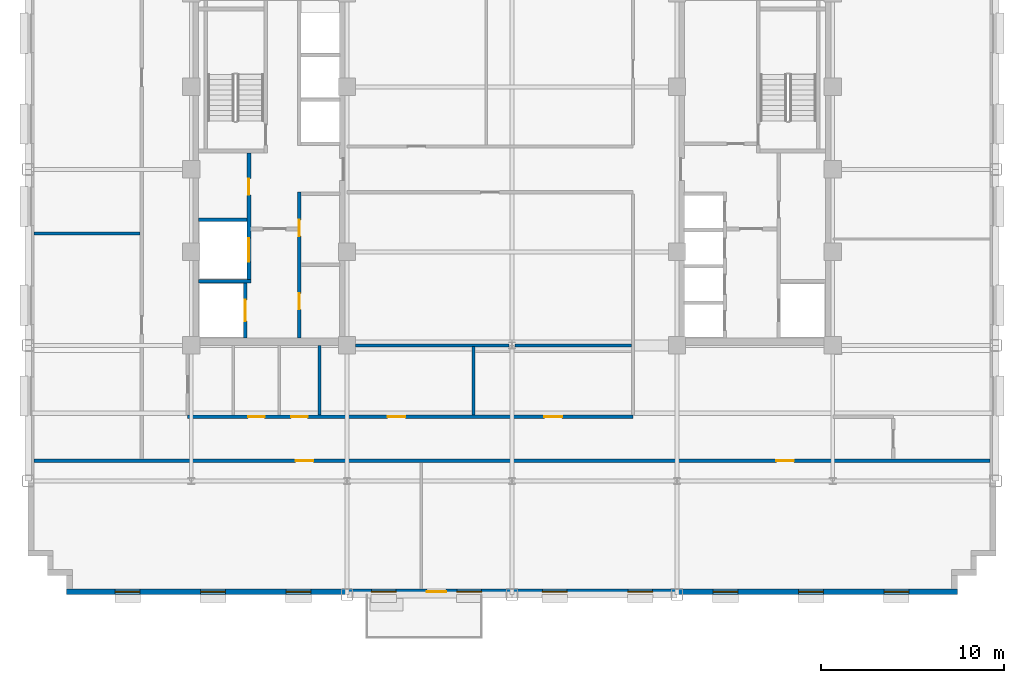
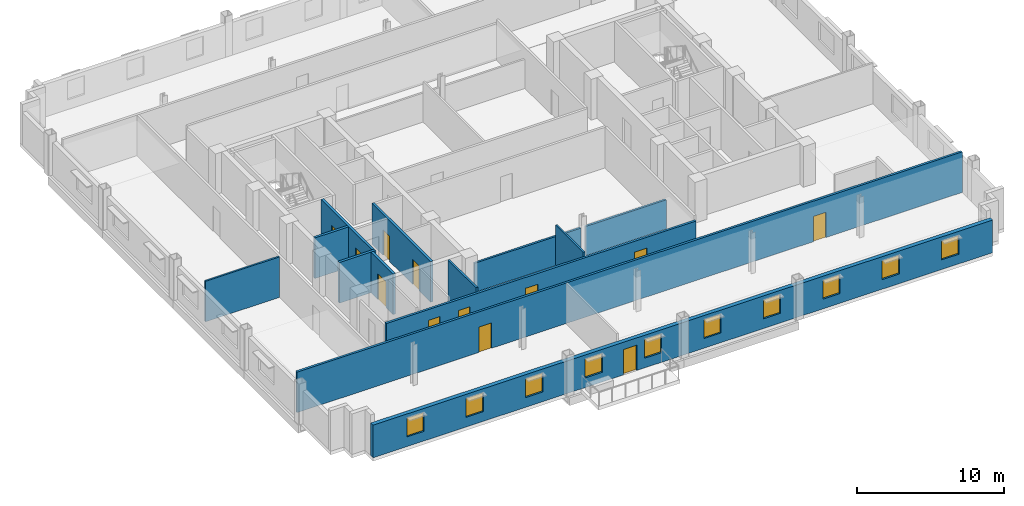
# One storey, part 6 of 14: 13 walls, 12 doors, 10 windows, 22 openings.
"""IFC4 building model written with IfcOpenShell, lengths in metres."""

from ifc_helpers import new_model, si_unit, direction, frame, frame_2d, origin, place, context, subcontext, project, spatial, rectangle, extrude, source, transform, mapped, material, layer, layer_set, type_object, type_shapes, element, fill, save


model = new_model("IFC4")

# Units and contexts
model_context = context("Model", 3, precision=1e-05, world=origin(), true_north=direction((0.0, 1.0)))
body_context = subcontext(model_context, "Body", "Model", "MODEL_VIEW")
ifc_project = project(units=[si_unit("LENGTHUNIT", "METRE"), si_unit("AREAUNIT", "SQUARE_METRE"), si_unit("VOLUMEUNIT", "CUBIC_METRE"), si_unit("PLANEANGLEUNIT", "RADIAN"), si_unit("MASSUNIT", "GRAM", prefix="KILO")], contexts=[model_context])

# Site, building, storey
site_placement = place(None, origin())
site = spatial("IfcSite", under=ifc_project, at=site_placement, CompositionType="ELEMENT")
building_placement = place(site_placement, origin())
building = spatial("IfcBuilding", under=site, at=building_placement, Name="Nuvemarco Arch Tower", CompositionType="ELEMENT")
storey_placement = place(building_placement, frame((0.0, 0.0, 127.5)))
storey = spatial("IfcBuildingStorey", under=building, at=storey_placement, Name="L33", CompositionType="ELEMENT", Elevation=127.5)

# Wall, openings, door, windows
ifc_material_1 = material(Name="Precast concrete C45/55", Category="concrete")
ifc_layer_1 = layer(ifc_material_1, 0.320068359375, Name="EW-MID-320")
ifc_layer_set_1 = layer_set([ifc_layer_1], Name="Precast concrete C45/55")
wall_type_1 = type_object("IfcWallType", Name="EW-MID-320", PredefinedType="STANDARD", material=ifc_layer_set_1)
wall_1_placement = place(storey_placement, frame((-24.300048828125, -23.0400390625, 0.0), z_axis=(0.0, 0.0, 1.0), x_axis=(1.0, 0.0, 0.0)))
wall_1 = element("IfcWall", 1, at=wall_1_placement, inside=storey, type_object=wall_type_1, Name="L33 exterior precast facade wall 1", PredefinedType="STANDARD", context=body_context, shape_type="SweptSolid", body=[
    extrude(rectangle(XDim=48.60009765625, YDim=0.320068359375, at=frame_2d((24.300048828125, 0.0))), origin(), (0.0, 0.0, 1.0), 2.705078125),
])
opening_1_placement = place(wall_1_placement, frame((20.699951171875, 0.0, 0.0), z_axis=(0.0, 0.0, 1.0), x_axis=(-1.0, 0.0, 0.0)))
opening_1 = element("IfcOpeningElement", 2, at=opening_1_placement, cuts=wall_1, Name="Opening ED-5", PredefinedType="OPENING", context=body_context, shape_type="SweptSolid", body=[
    extrude(rectangle(XDim=1.050048828125, YDim=2.10009765625, at=frame_2d((0.52490234375, 1.050048828125))), frame((0.0, 0.169921875, 0.0), z_axis=(0.0, -1.0, 0.0), x_axis=(1.0, 0.0, 0.0)), (0.0, 0.0, 1.0), 0.340087890625),
])
opening_2_placement = place(wall_1_placement, frame((2.655029296875, 0.0, 0.800048828125)))
opening_2 = element("IfcOpeningElement", 3, at=opening_2_placement, cuts=wall_1, Name="Opening WN-6", PredefinedType="OPENING", context=body_context, shape_type="SweptSolid", body=[
    extrude(rectangle(XDim=1.35009765625, YDim=1.56005859375, at=frame_2d((0.675048828125, 0.780029296875))), frame((0.0, 0.169921875, 0.0), z_axis=(0.0, -1.0, 0.0), x_axis=(1.0, 0.0, 0.0)), (0.0, 0.0, 1.0), 0.340087890625),
])
opening_3_placement = place(wall_1_placement, frame((7.31494140625, 0.0, 0.800048828125)))
opening_3 = element("IfcOpeningElement", 4, at=opening_3_placement, cuts=wall_1, Name="Opening WN-6", PredefinedType="OPENING", context=body_context, shape_type="SweptSolid", body=[
    extrude(rectangle(XDim=1.35009765625, YDim=1.56005859375, at=frame_2d((0.675048828125, 0.780029296875))), frame((0.0, 0.169921875, 0.0), z_axis=(0.0, -1.0, 0.0), x_axis=(1.0, 0.0, 0.0)), (0.0, 0.0, 1.0), 0.340087890625),
])
opening_4_placement = place(wall_1_placement, frame((11.97509765625, 0.0, 0.800048828125)))
opening_4 = element("IfcOpeningElement", 5, at=opening_4_placement, cuts=wall_1, Name="Opening WN-6", PredefinedType="OPENING", context=body_context, shape_type="SweptSolid", body=[
    extrude(rectangle(XDim=1.35009765625, YDim=1.56005859375, at=frame_2d((0.675048828125, 0.780029296875))), frame((0.0, 0.169921875, 0.0), z_axis=(0.0, -1.0, 0.0), x_axis=(1.0, 0.0, 0.0)), (0.0, 0.0, 1.0), 0.340087890625),
])
opening_5_placement = place(wall_1_placement, frame((16.635009765625, 0.0, 0.800048828125)))
opening_5 = element("IfcOpeningElement", 6, at=opening_5_placement, cuts=wall_1, Name="Opening WN-6", PredefinedType="OPENING", context=body_context, shape_type="SweptSolid", body=[
    extrude(rectangle(XDim=1.35009765625, YDim=1.56005859375, at=frame_2d((0.675048828125, 0.780029296875))), frame((0.0, 0.169921875, 0.0), z_axis=(0.0, -1.0, 0.0), x_axis=(1.0, 0.0, 0.0)), (0.0, 0.0, 1.0), 0.340087890625),
])
opening_6_placement = place(wall_1_placement, frame((21.294921875, 0.0, 0.800048828125)))
opening_6 = element("IfcOpeningElement", 7, at=opening_6_placement, cuts=wall_1, Name="Opening WN-6", PredefinedType="OPENING", context=body_context, shape_type="SweptSolid", body=[
    extrude(rectangle(XDim=1.35009765625, YDim=1.56005859375, at=frame_2d((0.675048828125, 0.780029296875))), frame((0.0, 0.169921875, 0.0), z_axis=(0.0, -1.0, 0.0), x_axis=(1.0, 0.0, 0.0)), (0.0, 0.0, 1.0), 0.340087890625),
])
opening_7_placement = place(wall_1_placement, frame((25.955078125, 0.0, 0.800048828125)))
opening_7 = element("IfcOpeningElement", 8, at=opening_7_placement, cuts=wall_1, Name="Opening WN-6", PredefinedType="OPENING", context=body_context, shape_type="SweptSolid", body=[
    extrude(rectangle(XDim=1.35009765625, YDim=1.56005859375, at=frame_2d((0.675048828125, 0.780029296875))), frame((0.0, 0.169921875, 0.0), z_axis=(0.0, -1.0, 0.0), x_axis=(1.0, 0.0, 0.0)), (0.0, 0.0, 1.0), 0.340087890625),
])
opening_8_placement = place(wall_1_placement, frame((30.614990234375, 0.0, 0.800048828125)))
opening_8 = element("IfcOpeningElement", 9, at=opening_8_placement, cuts=wall_1, Name="Opening WN-6", PredefinedType="OPENING", context=body_context, shape_type="SweptSolid", body=[
    extrude(rectangle(XDim=1.35009765625, YDim=1.56005859375, at=frame_2d((0.675048828125, 0.780029296875))), frame((0.0, 0.169921875, 0.0), z_axis=(0.0, -1.0, 0.0), x_axis=(1.0, 0.0, 0.0)), (0.0, 0.0, 1.0), 0.340087890625),
])
opening_9_placement = place(wall_1_placement, frame((35.27490234375, 0.0, 0.800048828125)))
opening_9 = element("IfcOpeningElement", 10, at=opening_9_placement, cuts=wall_1, Name="Opening WN-6", PredefinedType="OPENING", context=body_context, shape_type="SweptSolid", body=[
    extrude(rectangle(XDim=1.35009765625, YDim=1.56005859375, at=frame_2d((0.675048828125, 0.780029296875))), frame((0.0, 0.169921875, 0.0), z_axis=(0.0, -1.0, 0.0), x_axis=(1.0, 0.0, 0.0)), (0.0, 0.0, 1.0), 0.340087890625),
])
opening_10_placement = place(wall_1_placement, frame((39.93505859375, 0.0, 0.800048828125)))
opening_10 = element("IfcOpeningElement", 11, at=opening_10_placement, cuts=wall_1, Name="Opening WN-6", PredefinedType="OPENING", context=body_context, shape_type="SweptSolid", body=[
    extrude(rectangle(XDim=1.35009765625, YDim=1.56005859375, at=frame_2d((0.675048828125, 0.780029296875))), frame((0.0, 0.169921875, 0.0), z_axis=(0.0, -1.0, 0.0), x_axis=(1.0, 0.0, 0.0)), (0.0, 0.0, 1.0), 0.340087890625),
])
opening_11_placement = place(wall_1_placement, frame((44.594970703125, 0.0, 0.800048828125)))
opening_11 = element("IfcOpeningElement", 12, at=opening_11_placement, cuts=wall_1, Name="Opening WN-6", PredefinedType="OPENING", context=body_context, shape_type="SweptSolid", body=[
    extrude(rectangle(XDim=1.35009765625, YDim=1.56005859375, at=frame_2d((0.675048828125, 0.780029296875))), frame((0.0, 0.169921875, 0.0), z_axis=(0.0, -1.0, 0.0), x_axis=(1.0, 0.0, 0.0)), (0.0, 0.0, 1.0), 0.340087890625),
])
ifc_material_2 = material(Name="Anodised bronze and laminated glass", Category="glass")
door_type_1 = type_object("IfcDoorType", Name="DR-EXT-TERR", OperationType="NOTDEFINED", PredefinedType="DOOR", material=ifc_material_2)
shared_shape_1 = source(origin(), body_context, "Body", "SweptSolid", [
    extrude(rectangle(XDim=1.050048828125, YDim=2.10009765625, at=frame_2d((0.52490234375, 1.050048828125))), frame((0.0, 0.02490234375, 0.0), z_axis=(0.0, -1.0, 0.0), x_axis=(1.0, 0.0, 0.0)), (0.0, 0.0, 1.0), 0.050048828125),
])
type_shapes(door_type_1, [shared_shape_1])
door_1_placement = place(opening_1_placement, origin())
door_1 = element("IfcDoor", 13, at=door_1_placement, inside=storey, type_object=door_type_1, Name="L33 spiral terrace access door", OperationType="SINGLE_SWING_LEFT", OverallHeight=2.10009765625, OverallWidth=1.050048828125, PredefinedType="DOOR", context=body_context, shape_type="MappedRepresentation", body=[
    mapped(shared_shape_1, transform((0.0, 0.0, 0.0), scale=1.0)),
])
fill(opening_1, door_1)
ifc_material_3 = material(Name="Insulated solar-control glass", Category="glass")
window_type = type_object("IfcWindowType", Name="WN-MID-1350x1560", PartitioningType="SINGLE_PANEL", PredefinedType="WINDOW", material=ifc_material_3)
shared_shape_2 = source(origin(), body_context, "Body", "SweptSolid", [
    extrude(rectangle(XDim=1.35009765625, YDim=1.56005859375, at=frame_2d((0.675048828125, 0.780029296875))), frame((0.0, 0.030029296875, 0.0), z_axis=(0.0, -1.0, 0.0), x_axis=(1.0, 0.0, 0.0)), (0.0, 0.0, 1.0), 0.06005859375),
])
type_shapes(window_type, [shared_shape_2])
window_1_placement = place(opening_2_placement, origin())
window_1 = element("IfcWindow", 14, at=window_1_placement, inside=storey, type_object=window_type, Name="L33 punched facade window 1", OverallHeight=1.56005859375, OverallWidth=1.35009765625, PartitioningType="SINGLE_PANEL", PredefinedType="WINDOW", context=body_context, shape_type="MappedRepresentation", body=[
    mapped(shared_shape_2, transform((0.0, 0.0, 0.0), scale=1.0)),
])
fill(opening_2, window_1)
window_2_placement = place(opening_3_placement, origin())
window_2 = element("IfcWindow", 15, at=window_2_placement, inside=storey, type_object=window_type, Name="L33 punched facade window 2", OverallHeight=1.56005859375, OverallWidth=1.35009765625, PartitioningType="SINGLE_PANEL", PredefinedType="WINDOW", context=body_context, shape_type="MappedRepresentation", body=[
    mapped(shared_shape_2, transform((0.0, 0.0, 0.0), scale=1.0)),
])
fill(opening_3, window_2)
window_3_placement = place(opening_4_placement, origin())
window_3 = element("IfcWindow", 16, at=window_3_placement, inside=storey, type_object=window_type, Name="L33 punched facade window 3", OverallHeight=1.56005859375, OverallWidth=1.35009765625, PartitioningType="SINGLE_PANEL", PredefinedType="WINDOW", context=body_context, shape_type="MappedRepresentation", body=[
    mapped(shared_shape_2, transform((0.0, 0.0, 0.0), scale=1.0)),
])
fill(opening_4, window_3)
window_4_placement = place(opening_5_placement, origin())
window_4 = element("IfcWindow", 17, at=window_4_placement, inside=storey, type_object=window_type, Name="L33 punched facade window 4", OverallHeight=1.56005859375, OverallWidth=1.35009765625, PartitioningType="SINGLE_PANEL", PredefinedType="WINDOW", context=body_context, shape_type="MappedRepresentation", body=[
    mapped(shared_shape_2, transform((0.0, 0.0, 0.0), scale=1.0)),
])
fill(opening_5, window_4)
window_5_placement = place(opening_6_placement, origin())
window_5 = element("IfcWindow", 18, at=window_5_placement, inside=storey, type_object=window_type, Name="L33 punched facade window 5", OverallHeight=1.56005859375, OverallWidth=1.35009765625, PartitioningType="SINGLE_PANEL", PredefinedType="WINDOW", context=body_context, shape_type="MappedRepresentation", body=[
    mapped(shared_shape_2, transform((0.0, 0.0, 0.0), scale=1.0)),
])
fill(opening_6, window_5)
window_6_placement = place(opening_7_placement, origin())
window_6 = element("IfcWindow", 19, at=window_6_placement, inside=storey, type_object=window_type, Name="L33 punched facade window 6", OverallHeight=1.56005859375, OverallWidth=1.35009765625, PartitioningType="SINGLE_PANEL", PredefinedType="WINDOW", context=body_context, shape_type="MappedRepresentation", body=[
    mapped(shared_shape_2, transform((0.0, 0.0, 0.0), scale=1.0)),
])
fill(opening_7, window_6)
window_7_placement = place(opening_8_placement, origin())
window_7 = element("IfcWindow", 20, at=window_7_placement, inside=storey, type_object=window_type, Name="L33 punched facade window 7", OverallHeight=1.56005859375, OverallWidth=1.35009765625, PartitioningType="SINGLE_PANEL", PredefinedType="WINDOW", context=body_context, shape_type="MappedRepresentation", body=[
    mapped(shared_shape_2, transform((0.0, 0.0, 0.0), scale=1.0)),
])
fill(opening_8, window_7)
window_8_placement = place(opening_9_placement, origin())
window_8 = element("IfcWindow", 21, at=window_8_placement, inside=storey, type_object=window_type, Name="L33 punched facade window 8", OverallHeight=1.56005859375, OverallWidth=1.35009765625, PartitioningType="SINGLE_PANEL", PredefinedType="WINDOW", context=body_context, shape_type="MappedRepresentation", body=[
    mapped(shared_shape_2, transform((0.0, 0.0, 0.0), scale=1.0)),
])
fill(opening_9, window_8)
window_9_placement = place(opening_10_placement, origin())
window_9 = element("IfcWindow", 22, at=window_9_placement, inside=storey, type_object=window_type, Name="L33 punched facade window 9", OverallHeight=1.56005859375, OverallWidth=1.35009765625, PartitioningType="SINGLE_PANEL", PredefinedType="WINDOW", context=body_context, shape_type="MappedRepresentation", body=[
    mapped(shared_shape_2, transform((0.0, 0.0, 0.0), scale=1.0)),
])
fill(opening_10, window_9)
window_10_placement = place(opening_11_placement, origin())
window_10 = element("IfcWindow", 23, at=window_10_placement, inside=storey, type_object=window_type, Name="L33 punched facade window 10", OverallHeight=1.56005859375, OverallWidth=1.35009765625, PartitioningType="SINGLE_PANEL", PredefinedType="WINDOW", context=body_context, shape_type="MappedRepresentation", body=[
    mapped(shared_shape_2, transform((0.0, 0.0, 0.0), scale=1.0)),
])
fill(opening_11, window_10)

# Wall, openings, doors
ifc_material_4 = material(Name="Fire-rated gypsum drywall partition")
ifc_layer_2 = layer(ifc_material_4, 0.179931640625, Name="WL-CORR-180")
ifc_layer_set_2 = layer_set([ifc_layer_2], Name="Fire-rated gypsum drywall partition")
wall_type_2 = type_object("IfcWallType", Name="WL-CORR-180", PredefinedType="PARTITIONING", material=ifc_layer_set_2)
wall_2_placement = place(storey_placement, frame((-26.080078125, -15.89990234375, 0.0), z_axis=(0.0, 0.0, 1.0), x_axis=(1.0, 0.0, 0.0)))
wall_2 = element("IfcWall", 24, at=wall_2_placement, inside=storey, type_object=wall_type_2, Name="L33 interior wall IW-L33-001", PredefinedType="PARTITIONING", context=body_context, shape_type="SweptSolid", body=[
    extrude(rectangle(XDim=52.16015625, YDim=0.179931640625, at=frame_2d((26.080078125, 0.0))), origin(), (0.0, 0.0, 1.0), 3.360107421875),
])
opening_12_placement = place(wall_2_placement, frame((14.280029296875, 0.0, 0.0)))
opening_12 = element("IfcOpeningElement", 25, at=opening_12_placement, cuts=wall_2, Name="Opening FD-5", PredefinedType="OPENING", context=body_context, shape_type="SweptSolid", body=[
    extrude(rectangle(XDim=0.9599609375, YDim=2.10009765625, at=frame_2d((0.47998046875, 1.050048828125))), frame((0.0, 0.099853515625, 0.0), z_axis=(0.0, -1.0, 0.0), x_axis=(1.0, 0.0, 0.0)), (0.0, 0.0, 1.0), 0.199951171875),
])
opening_13_placement = place(wall_2_placement, frame((40.5, 0.0, 0.0)))
opening_13 = element("IfcOpeningElement", 26, at=opening_13_placement, cuts=wall_2, Name="Opening FD-5", PredefinedType="OPENING", context=body_context, shape_type="SweptSolid", body=[
    extrude(rectangle(XDim=0.9599609375, YDim=2.10009765625, at=frame_2d((0.47998046875, 1.050048828125))), frame((0.0, 0.099853515625, 0.0), z_axis=(0.0, -1.0, 0.0), x_axis=(1.0, 0.0, 0.0)), (0.0, 0.0, 1.0), 0.199951171875),
])
ifc_material_5 = material(Name="Timber fire door", Category="wood")
door_type_2 = type_object("IfcDoorType", Name="DR-CORR-FD", OperationType="NOTDEFINED", PredefinedType="DOOR", material=ifc_material_5)
shared_shape_3 = source(origin(), body_context, "Body", "SweptSolid", [
    extrude(rectangle(XDim=0.9599609375, YDim=2.10009765625, at=frame_2d((0.47998046875, 1.050048828125))), frame((0.0, 0.02490234375, 0.0), z_axis=(0.0, -1.0, 0.0), x_axis=(1.0, 0.0, 0.0)), (0.0, 0.0, 1.0), 0.050048828125),
])
type_shapes(door_type_2, [shared_shape_3])
door_2_placement = place(opening_12_placement, origin())
door_2 = element("IfcDoor", 27, at=door_2_placement, inside=storey, type_object=door_type_2, Name="L33 door DR-L33-S_1", OperationType="SINGLE_SWING_RIGHT", OverallHeight=2.10009765625, OverallWidth=0.9599609375, PredefinedType="DOOR", context=body_context, shape_type="MappedRepresentation", body=[
    mapped(shared_shape_3, transform((0.0, 0.0, 0.0), scale=1.0)),
])
fill(opening_12, door_2)
door_3_placement = place(opening_13_placement, origin())
door_3 = element("IfcDoor", 28, at=door_3_placement, inside=storey, type_object=door_type_2, Name="L33 door DR-L33-S_2", OperationType="SINGLE_SWING_RIGHT", OverallHeight=2.10009765625, OverallWidth=0.9599609375, PredefinedType="DOOR", context=body_context, shape_type="MappedRepresentation", body=[
    mapped(shared_shape_3, transform((0.0, 0.0, 0.0), scale=1.0)),
])
fill(opening_13, door_3)

wall_3_placement = place(storey_placement, frame((-17.699951171875, -13.5, 0.0), z_axis=(0.0, 0.0, 1.0), x_axis=(1.0, 0.0, 0.0)))
wall_3 = element("IfcWall", 29, at=wall_3_placement, inside=storey, type_object=wall_type_2, Name="L33 interior wall IW-L33-002", PredefinedType="PARTITIONING", context=body_context, shape_type="SweptSolid", body=[
    extrude(rectangle(XDim=24.300048828125, YDim=0.179931640625, at=frame_2d((12.14990234375, 0.0))), origin(), (0.0, 0.0, 1.0), 2.998046875),
])
opening_14_placement = place(wall_3_placement, frame((19.469970703125, 0.0, 0.0)))
opening_14 = element("IfcOpeningElement", 30, at=opening_14_placement, cuts=wall_3, Name="Opening FD-5", PredefinedType="OPENING", context=body_context, shape_type="SweptSolid", body=[
    extrude(rectangle(XDim=0.9599609375, YDim=2.10009765625, at=frame_2d((0.47998046875, 1.050048828125))), frame((0.0, 0.099853515625, 0.0), z_axis=(0.0, -1.0, 0.0), x_axis=(1.0, 0.0, 0.0)), (0.0, 0.0, 1.0), 0.199951171875),
])
opening_15_placement = place(wall_3_placement, frame((10.919921875, 0.0, 0.0)))
opening_15 = element("IfcOpeningElement", 31, at=opening_15_placement, cuts=wall_3, Name="Opening FD-5", PredefinedType="OPENING", context=body_context, shape_type="SweptSolid", body=[
    extrude(rectangle(XDim=0.9599609375, YDim=2.10009765625, at=frame_2d((0.47998046875, 1.050048828125))), frame((0.0, 0.099853515625, 0.0), z_axis=(0.0, -1.0, 0.0), x_axis=(1.0, 0.0, 0.0)), (0.0, 0.0, 1.0), 0.199951171875),
])
opening_16_placement = place(wall_3_placement, frame((3.300048828125, 0.0, 0.0)))
opening_16 = element("IfcOpeningElement", 32, at=opening_16_placement, cuts=wall_3, Name="Opening ID-3", PredefinedType="OPENING", context=body_context, shape_type="SweptSolid", body=[
    extrude(rectangle(XDim=0.89990234375, YDim=2.10009765625, at=frame_2d((0.449951171875, 1.050048828125))), frame((0.0, 0.099853515625, 0.0), z_axis=(0.0, -1.0, 0.0), x_axis=(1.0, 0.0, 0.0)), (0.0, 0.0, 1.0), 0.199951171875),
])
opening_17_placement = place(wall_3_placement, frame((5.64990234375, 0.0, 0.0)))
opening_17 = element("IfcOpeningElement", 33, at=opening_17_placement, cuts=wall_3, Name="Opening ID-3", PredefinedType="OPENING", context=body_context, shape_type="SweptSolid", body=[
    extrude(rectangle(XDim=0.89990234375, YDim=2.10009765625, at=frame_2d((0.449951171875, 1.050048828125))), frame((0.0, 0.099853515625, 0.0), z_axis=(0.0, -1.0, 0.0), x_axis=(1.0, 0.0, 0.0)), (0.0, 0.0, 1.0), 0.199951171875),
])
door_4_placement = place(opening_14_placement, origin())
door_4 = element("IfcDoor", 34, at=door_4_placement, inside=storey, type_object=door_type_2, Name="L33 door DR-L33-IN_S2", OperationType="SINGLE_SWING_RIGHT", OverallHeight=2.10009765625, OverallWidth=0.9599609375, PredefinedType="DOOR", context=body_context, shape_type="MappedRepresentation", body=[
    mapped(shared_shape_3, transform((0.0, 0.0, 0.0), scale=1.0)),
])
fill(opening_14, door_4)
door_5_placement = place(opening_15_placement, origin())
door_5 = element("IfcDoor", 35, at=door_5_placement, inside=storey, type_object=door_type_2, Name="L33 door DR-L33-IN_S1", OperationType="SINGLE_SWING_LEFT", OverallHeight=2.10009765625, OverallWidth=0.9599609375, PredefinedType="DOOR", context=body_context, shape_type="MappedRepresentation", body=[
    mapped(shared_shape_3, transform((0.0, 0.0, 0.0), scale=1.0)),
])
fill(opening_15, door_5)
ifc_material_6 = material(Name="Veneered oak timber fire door", Category="wood")
door_type_3 = type_object("IfcDoorType", Name="DR-WC-ACC", OperationType="NOTDEFINED", PredefinedType="DOOR", material=ifc_material_6)
shared_shape_4 = source(origin(), body_context, "Body", "SweptSolid", [
    extrude(rectangle(XDim=0.89990234375, YDim=2.10009765625, at=frame_2d((0.449951171875, 1.050048828125))), frame((0.0, 0.02490234375, 0.0), z_axis=(0.0, -1.0, 0.0), x_axis=(1.0, 0.0, 0.0)), (0.0, 0.0, 1.0), 0.050048828125),
])
type_shapes(door_type_3, [shared_shape_4])
door_6_placement = place(opening_16_placement, origin())
door_6 = element("IfcDoor", 36, at=door_6_placement, inside=storey, type_object=door_type_3, Name="L33 door DR-L33-WC_F", OperationType="SINGLE_SWING_LEFT", OverallHeight=2.10009765625, OverallWidth=0.89990234375, PredefinedType="DOOR", context=body_context, shape_type="MappedRepresentation", body=[
    mapped(shared_shape_4, transform((0.0, 0.0, 0.0), scale=1.0)),
])
fill(opening_16, door_6)
door_7_placement = place(opening_17_placement, origin())
door_7 = element("IfcDoor", 37, at=door_7_placement, inside=storey, type_object=door_type_3, Name="L33 door DR-L33-WC_ACC", OperationType="SINGLE_SWING_RIGHT", OverallHeight=2.10009765625, OverallWidth=0.89990234375, PredefinedType="DOOR", context=body_context, shape_type="MappedRepresentation", body=[
    mapped(shared_shape_4, transform((0.0, 0.0, 0.0), scale=1.0)),
])
fill(opening_17, door_7)

# Walls
ifc_material_7 = material(Name="Gypsum plasterboard partition")
ifc_layer_3 = layer(ifc_material_7, 0.139892578125, Name="WL-ROOM-140")
ifc_layer_set_3 = layer_set([ifc_layer_3], Name="Gypsum plasterboard partition")
wall_type_3 = type_object("IfcWallType", Name="WL-ROOM-140", PredefinedType="PARTITIONING", material=ifc_layer_set_3)
wall_4_placement = place(storey_placement, frame((-26.080078125, -3.5, 0.0), z_axis=(0.0, 0.0, 1.0), x_axis=(1.0, 0.0, 0.0)))
element("IfcWall", 38, at=wall_4_placement, inside=storey, type_object=wall_type_3, Name="L33 interior wall IW-L33-007", PredefinedType="PARTITIONING", context=body_context, shape_type="SweptSolid", body=[
    extrude(rectangle(XDim=5.794189453125, YDim=0.139892578125, at=frame_2d((2.89697265625, 0.0))), origin(), (0.0, 0.0, 1.0), 3.360107421875),
])
wall_5_placement = place(storey_placement, frame((-2.10009765625, -13.4140625, 0.0), z_axis=(0.0, 0.0, 1.0), x_axis=(0.0, 1.0, 0.0)))
element("IfcWall", 39, at=wall_5_placement, inside=storey, type_object=wall_type_3, Name="L33 interior wall IW-L33-022", PredefinedType="PARTITIONING", context=body_context, shape_type="SweptSolid", body=[
    extrude(rectangle(XDim=3.738037109375, YDim=0.139892578125, at=frame_2d((1.869140625, 0.0))), origin(), (0.0, 0.0, 1.0), 3.360107421875),
])

# Wall, opening, door
ifc_material_8 = material(Name="Concrete C50/60", Category="concrete")
ifc_layer_4 = layer(ifc_material_8, 0.199951171875, Name="WL-SHAFT-220")
ifc_layer_set_4 = layer_set([ifc_layer_4], Name="Concrete C50/60")
wall_type_4 = type_object("IfcWallType", Name="WL-SHAFT-220", PredefinedType="SHEAR", material=ifc_layer_set_4)
wall_6_placement = place(storey_placement, frame((-14.550048828125, -9.205078125, 0.0), z_axis=(0.0, 0.0, 1.0), x_axis=(0.0, 1.0, 0.0)))
wall_6 = element("IfcWall", 40, at=wall_6_placement, inside=storey, type_object=wall_type_4, Name="L33 structural shaft wall SW-L33-W-SHE", PredefinedType="SHEAR", context=body_context, shape_type="SweptSolid", body=[
    extrude(rectangle(XDim=3.010009765625, YDim=0.199951171875, at=frame_2d((1.5048828125, 0.0))), origin(), (0.0, 0.0, 1.0), 3.3701171875),
])
opening_18_placement = place(wall_6_placement, frame((0.929931640625, 0.0, 0.0)))
opening_18 = element("IfcOpeningElement", 41, at=opening_18_placement, cuts=wall_6, Name="Opening LD-2", PredefinedType="OPENING", context=body_context, shape_type="SweptSolid", body=[
    extrude(rectangle(XDim=1.14990234375, YDim=2.14990234375, at=frame_2d((0.574951171875, 1.074951171875))), frame((0.0, 0.10986328125, 0.0), z_axis=(0.0, -1.0, 0.0), x_axis=(1.0, 0.0, 0.0)), (0.0, 0.0, 1.0), 0.219970703125),
])
ifc_material_9 = material(Name="Stainless steel lift door", Category="steel")
door_type_4 = type_object("IfcDoorType", Name="DR-LIFT-FIRE", OperationType="DOUBLE_DOOR_SLIDING", PredefinedType="DOOR", material=ifc_material_9)
shared_shape_5 = source(origin(), body_context, "Body", "SweptSolid", [
    extrude(rectangle(XDim=1.14990234375, YDim=2.14990234375, at=frame_2d((0.574951171875, 1.074951171875))), frame((0.0, 0.02490234375, 0.0), z_axis=(0.0, -1.0, 0.0), x_axis=(1.0, 0.0, 0.0)), (0.0, 0.0, 1.0), 0.050048828125),
])
type_shapes(door_type_4, [shared_shape_5])
door_8_placement = place(opening_18_placement, origin())
door_8 = element("IfcDoor", 42, at=door_8_placement, inside=storey, type_object=door_type_4, Name="L33 Lift landing sliding door FFL-1", OperationType="DOUBLE_DOOR_SLIDING", OverallHeight=2.14990234375, OverallWidth=1.14990234375, PredefinedType="DOOR", context=body_context, shape_type="MappedRepresentation", body=[
    mapped(shared_shape_5, transform((0.0, 0.0, 0.0), scale=1.0)),
])
fill(opening_18, door_8)

# Wall, openings, doors
wall_7_placement = place(storey_placement, frame((-14.35009765625, -6.199951171875, 0.0), z_axis=(0.0, 0.0, 1.0), x_axis=(0.0, 1.0, 0.0)))
wall_7 = element("IfcWall", 43, at=wall_7_placement, inside=storey, type_object=wall_type_4, Name="L33 structural shaft wall SW-L33-W-SVE", PredefinedType="SHEAR", context=body_context, shape_type="SweptSolid", body=[
    extrude(rectangle(XDim=7.10498046875, YDim=0.199951171875, at=frame_2d((3.552490234375, 0.0))), origin(), (0.0, 0.0, 1.0), 3.3701171875),
])
opening_19_placement = place(wall_7_placement, frame((5.68994140625, 0.0, 0.0), z_axis=(0.0, 0.0, 1.0), x_axis=(-1.0, 0.0, 0.0)))
opening_19 = element("IfcOpeningElement", 44, at=opening_19_placement, cuts=wall_7, Name="Opening FD-4", PredefinedType="OPENING", context=body_context, shape_type="SweptSolid", body=[
    extrude(rectangle(XDim=0.8798828125, YDim=2.10009765625, at=frame_2d((0.43994140625, 1.050048828125))), frame((0.0, 0.10986328125, 0.0), z_axis=(0.0, -1.0, 0.0), x_axis=(1.0, 0.0, 0.0)), (0.0, 0.0, 1.0), 0.219970703125),
])
opening_20_placement = place(wall_7_placement, frame((1.14990234375, 0.0, 0.0)))
opening_20 = element("IfcOpeningElement", 45, at=opening_20_placement, cuts=wall_7, Name="Opening LD-3", PredefinedType="OPENING", context=body_context, shape_type="SweptSolid", body=[
    extrude(rectangle(XDim=1.300048828125, YDim=2.199951171875, at=frame_2d((0.64990234375, 1.10009765625))), frame((0.0, 0.10986328125, 0.0), z_axis=(0.0, -1.0, 0.0), x_axis=(1.0, 0.0, 0.0)), (0.0, 0.0, 1.0), 0.219970703125),
])
ifc_material_10 = material(Name="Anodised steel fire door", Category="steel")
door_type_5 = type_object("IfcDoorType", Name="DR-RISER-FD", OperationType="NOTDEFINED", PredefinedType="DOOR", material=ifc_material_10)
shared_shape_6 = source(origin(), body_context, "Body", "SweptSolid", [
    extrude(rectangle(XDim=0.8798828125, YDim=2.10009765625, at=frame_2d((0.43994140625, 1.050048828125))), frame((0.0, 0.02490234375, 0.0), z_axis=(0.0, -1.0, 0.0), x_axis=(1.0, 0.0, 0.0)), (0.0, 0.0, 1.0), 0.050048828125),
])
type_shapes(door_type_5, [shared_shape_6])
door_9_placement = place(opening_19_placement, origin())
door_9 = element("IfcDoor", 46, at=door_9_placement, inside=storey, type_object=door_type_5, Name="L33 door FD-L33-WRIS", OperationType="SINGLE_SWING_LEFT", OverallHeight=2.10009765625, OverallWidth=0.8798828125, PredefinedType="DOOR", context=body_context, shape_type="MappedRepresentation", body=[
    mapped(shared_shape_6, transform((0.0, 0.0, 0.0), scale=1.0)),
])
fill(opening_19, door_9)
door_type_6 = type_object("IfcDoorType", Name="DR-LIFT-SERV", OperationType="DOUBLE_DOOR_SLIDING", PredefinedType="DOOR", material=ifc_material_9)
shared_shape_7 = source(origin(), body_context, "Body", "SweptSolid", [
    extrude(rectangle(XDim=1.300048828125, YDim=2.199951171875, at=frame_2d((0.64990234375, 1.10009765625))), frame((0.0, 0.02490234375, 0.0), z_axis=(0.0, -1.0, 0.0), x_axis=(1.0, 0.0, 0.0)), (0.0, 0.0, 1.0), 0.050048828125),
])
type_shapes(door_type_6, [shared_shape_7])
door_10_placement = place(opening_20_placement, origin())
door_10 = element("IfcDoor", 47, at=door_10_placement, inside=storey, type_object=door_type_6, Name="L33 Lift landing sliding door SVL-1", OperationType="DOUBLE_DOOR_SLIDING", OverallHeight=2.199951171875, OverallWidth=1.300048828125, PredefinedType="DOOR", context=body_context, shape_type="MappedRepresentation", body=[
    mapped(shared_shape_7, transform((0.0, 0.0, 0.0), scale=1.0)),
])
fill(opening_20, door_10)

# Walls
wall_8_placement = place(storey_placement, frame((-17.10498046875, -6.10009765625, 0.0), z_axis=(0.0, 0.0, 1.0), x_axis=(1.0, 0.0, 0.0)))
element("IfcWall", 48, at=wall_8_placement, inside=storey, type_object=wall_type_4, Name="L33 structural shaft wall SW-L33-W-SH1", PredefinedType="SHEAR", context=body_context, shape_type="SweptSolid", body=[
    extrude(rectangle(XDim=2.85498046875, YDim=0.199951171875, at=frame_2d((1.427490234375, 0.0))), origin(), (0.0, 0.0, 1.0), 3.3701171875),
])
wall_9_placement = place(storey_placement, frame((-17.10498046875, -2.75, 0.0), z_axis=(0.0, 0.0, 1.0), x_axis=(1.0, 0.0, 0.0)))
element("IfcWall", 49, at=wall_9_placement, inside=storey, type_object=wall_type_4, Name="L33 structural shaft wall SW-L33-W-SH2", PredefinedType="SHEAR", context=body_context, shape_type="SweptSolid", body=[
    extrude(rectangle(XDim=2.659912109375, YDim=0.199951171875, at=frame_2d((1.330078125, 0.0))), origin(), (0.0, 0.0, 1.0), 3.3701171875),
])

# Wall, openings, doors
wall_10_placement = place(storey_placement, frame((-11.60009765625, -9.205078125, 0.0), z_axis=(0.0, 0.0, 1.0), x_axis=(0.0, 1.0, 0.0)))
wall_10 = element("IfcWall", 50, at=wall_10_placement, inside=storey, type_object=wall_type_4, Name="L33 structural shaft wall SW-L33-W-PLW", PredefinedType="SHEAR", context=body_context, shape_type="SweptSolid", body=[
    extrude(rectangle(XDim=7.97509765625, YDim=0.199951171875, at=frame_2d((3.987548828125, 0.0))), origin(), (0.0, 0.0, 1.0), 3.3701171875),
])
opening_21_placement = place(wall_10_placement, frame((1.56494140625, 0.0, 0.0)))
opening_21 = element("IfcOpeningElement", 51, at=opening_21_placement, cuts=wall_10, Name="Opening FD-4", PredefinedType="OPENING", context=body_context, shape_type="SweptSolid", body=[
    extrude(rectangle(XDim=0.8798828125, YDim=2.10009765625, at=frame_2d((0.43994140625, 1.050048828125))), frame((0.0, 0.10986328125, 0.0), z_axis=(0.0, -1.0, 0.0), x_axis=(1.0, 0.0, 0.0)), (0.0, 0.0, 1.0), 0.219970703125),
])
opening_22_placement = place(wall_10_placement, frame((5.56494140625, 0.0, 0.0)))
opening_22 = element("IfcOpeningElement", 52, at=opening_22_placement, cuts=wall_10, Name="Opening FD-4", PredefinedType="OPENING", context=body_context, shape_type="SweptSolid", body=[
    extrude(rectangle(XDim=0.8798828125, YDim=2.10009765625, at=frame_2d((0.43994140625, 1.050048828125))), frame((0.0, 0.10986328125, 0.0), z_axis=(0.0, -1.0, 0.0), x_axis=(1.0, 0.0, 0.0)), (0.0, 0.0, 1.0), 0.219970703125),
])
door_11_placement = place(opening_21_placement, origin())
door_11 = element("IfcDoor", 53, at=door_11_placement, inside=storey, type_object=door_type_5, Name="L33 door FD-L33-WREC1", OperationType="SINGLE_SWING_LEFT", OverallHeight=2.10009765625, OverallWidth=0.8798828125, PredefinedType="DOOR", context=body_context, shape_type="MappedRepresentation", body=[
    mapped(shared_shape_6, transform((0.0, 0.0, 0.0), scale=1.0)),
])
fill(opening_21, door_11)
door_12_placement = place(opening_22_placement, origin())
door_12 = element("IfcDoor", 54, at=door_12_placement, inside=storey, type_object=door_type_5, Name="L33 door FD-L33-WREC2", OperationType="SINGLE_SWING_RIGHT", OverallHeight=2.10009765625, OverallWidth=0.8798828125, PredefinedType="DOOR", context=body_context, shape_type="MappedRepresentation", body=[
    mapped(shared_shape_6, transform((0.0, 0.0, 0.0), scale=1.0)),
])
fill(opening_22, door_12)

# Walls
ifc_material_11 = material(Name="Acoustic gypsum drywall partition")
ifc_layer_5 = layer(ifc_material_11, 0.159912109375, Name="WL-TENANT-160")
ifc_layer_set_5 = layer_set([ifc_layer_5], Name="Acoustic gypsum drywall partition")
wall_type_5 = type_object("IfcWallType", Name="WL-TENANT-160", PredefinedType="PARTITIONING", material=ifc_layer_set_5)
wall_11_placement = place(storey_placement, frame((-8.529052734375, -9.60009765625, 0.0), z_axis=(0.0, 0.0, 1.0), x_axis=(1.0, 0.0, 0.0)))
element("IfcWall", 55, at=wall_11_placement, inside=storey, type_object=wall_type_5, Name="L33 interior wall IW-L33-004", PredefinedType="PARTITIONING", context=body_context, shape_type="SweptSolid", body=[
    extrude(rectangle(XDim=8.35302734375, YDim=0.159912109375, at=frame_2d((4.176513671875, 0.0))), origin(), (0.0, 0.0, 1.0), 2.405029296875),
])
wall_12_placement = place(storey_placement, frame((0.176025390625, -9.60009765625, 0.0), z_axis=(0.0, 0.0, 1.0), x_axis=(1.0, 0.0, 0.0)))
element("IfcWall", 56, at=wall_12_placement, inside=storey, type_object=wall_type_5, Name="L33 interior wall IW-L33-005", PredefinedType="PARTITIONING", context=body_context, shape_type="SweptSolid", body=[
    extrude(rectangle(XDim=6.337890625, YDim=0.159912109375, at=frame_2d((3.1689453125, 0.0))), origin(), (0.0, 0.0, 1.0), 2.405029296875),
])
ifc_material_12 = material(Name="Moisture-resistant gypsum partition")
ifc_layer_6 = layer(ifc_material_12, 0.14990234375, Name="WL-WET-150")
ifc_layer_set_6 = layer_set([ifc_layer_6], Name="Moisture-resistant gypsum partition")
wall_type_6 = type_object("IfcWallType", Name="WL-WET-150", PredefinedType="PARTITIONING", material=ifc_layer_set_6)
wall_13_placement = place(storey_placement, frame((-10.5, -13.4140625, 0.0), z_axis=(0.0, 0.0, 1.0), x_axis=(0.0, 1.0, 0.0)))
element("IfcWall", 57, at=wall_13_placement, inside=storey, type_object=wall_type_6, Name="L33 interior wall IW-L33-020", PredefinedType="PARTITIONING", context=body_context, shape_type="SweptSolid", body=[
    extrude(rectangle(XDim=3.81396484375, YDim=0.14990234375, at=frame_2d((1.906982421875, 0.0))), origin(), (0.0, 0.0, 1.0), 3.360107421875),
])

save(model, "model.ifc")
